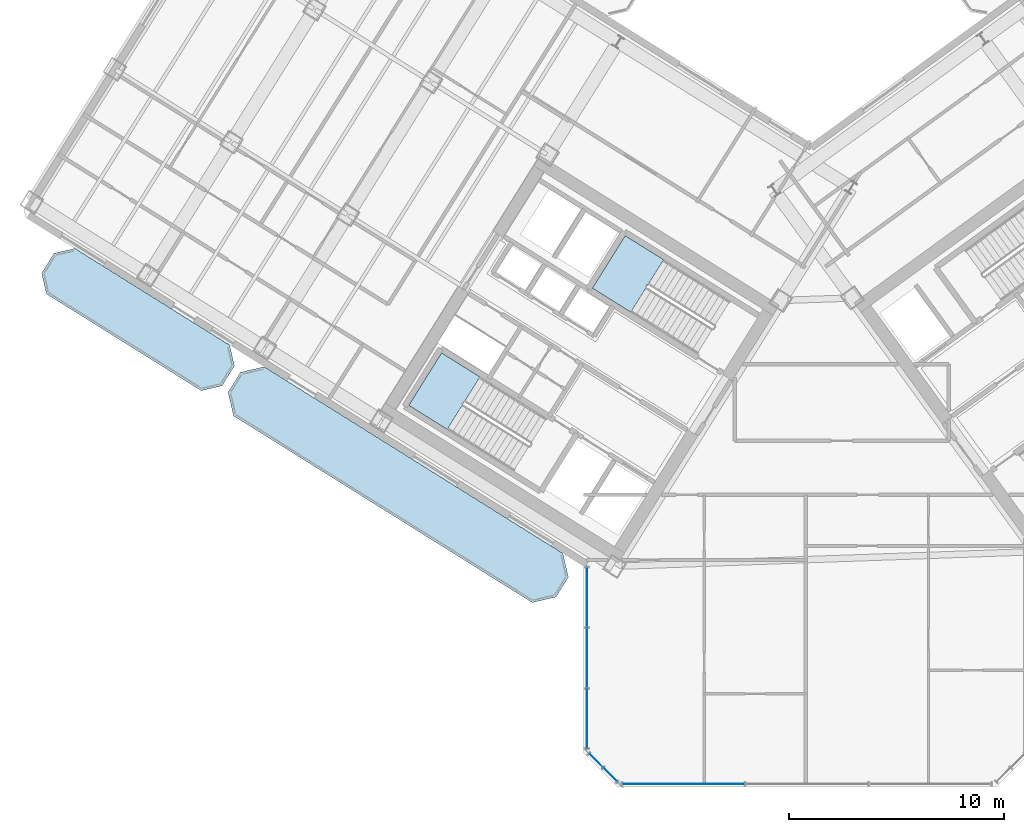
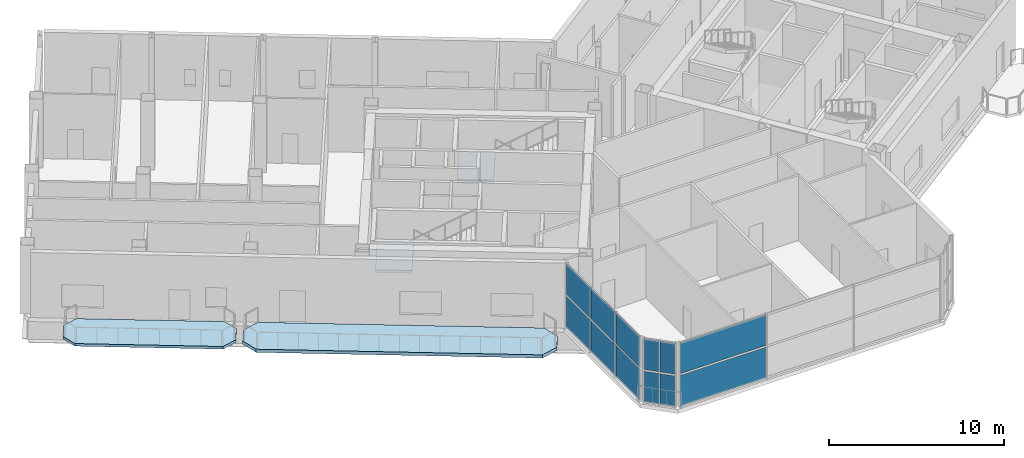
# One storey, part 9 of 21: 12 plates, 4 slabs, 5 elements without a shape of their own.
"""IFC4 building model written with IfcOpenShell, lengths in metres."""

from ifc_helpers import new_model, si_unit, direction, frame, origin, origin_2d, place, context, subcontext, project, spatial, polyline, rectangle, outline, extrude, source, transform, mapped, material, layer, layer_set, type_object, element, aggregate, save


model = new_model("IFC4")

# Units and contexts
model_context = context("Model", 3, precision=1e-05, world=origin(), true_north=direction((0.0, 1.0)))
body_context = subcontext(model_context, "Body", "Model", "MODEL_VIEW")
ifc_project = project(units=[si_unit("LENGTHUNIT", "METRE"), si_unit("AREAUNIT", "SQUARE_METRE"), si_unit("VOLUMEUNIT", "CUBIC_METRE"), si_unit("PLANEANGLEUNIT", "RADIAN"), si_unit("MASSUNIT", "GRAM", prefix="KILO")], contexts=[model_context])

# Site, building, storey
site_placement = place(None, origin())
site = spatial("IfcSite", under=ifc_project, at=site_placement, CompositionType="ELEMENT")
building_placement = place(site_placement, origin())
building = spatial("IfcBuilding", under=site, at=building_placement, Name="Tlacorven Tower", CompositionType="ELEMENT")
storey_placement = place(building_placement, frame((0.0, 0.0, 179.39990234375)))
storey = spatial("IfcBuildingStorey", under=building, at=storey_placement, Name="L45", CompositionType="ELEMENT", Elevation=179.39990234375)

# Slab
ifc_material_1 = material(Name="Precast concrete C45/55", Category="concrete")
ifc_layer_1 = layer(ifc_material_1, 0.179931640625)
ifc_layer_set_1 = layer_set([ifc_layer_1], Name="Precast concrete C45/55")
slab_type_1 = type_object("IfcSlabType", Name="SL-BAL-180", PredefinedType="USERDEFINED", material=ifc_layer_set_1)
slab_1_placement = place(storey_placement, frame((0.0, 0.0, -0.179931640625)))
element("IfcSlab", 1, at=slab_1_placement, inside=storey, type_object=slab_type_1, Name="L45 West Wing Balcony Ribbon OUT", ObjectType="BALCONY SLAB", PredefinedType="USERDEFINED", context=body_context, shape_type="SweptSolid", body=[
    extrude(outline(polyline([(15.1201171875, 22.38623046875), (7.91162109375, 26.890625), (6.947021484375, 26.66796875), (6.366943359375, 25.7392578125), (6.589599609375, 24.774658203125), (13.7978515625, 20.270263671875), (14.762451171875, 20.4931640625), (15.3427734375, 21.421630859375), (15.1201171875, 22.38623046875)])), origin(), (0.0, 0.0, 1.0), 0.179931640625),
])

# Stair, slab
ifc_material_2 = material(Name="Concrete C40/50", Category="concrete")
stair_type = type_object("IfcStairType", Name="ST-CORE-DLG", PredefinedType="HALF_TURN_STAIR", material=ifc_material_2)
stair_1_placement = place(storey_placement, origin())
stair_1 = element("IfcStair", 2, at=stair_1_placement, inside=storey, type_object=stair_type, Name="L45 Protected Exit Stair West 1", PredefinedType="HALF_TURN_STAIR")
ifc_layer_2 = layer(ifc_material_2, 0.199951171875)
ifc_layer_set_2 = layer_set([ifc_layer_2], Name="Concrete C40/50")
slab_type_2 = type_object("IfcSlabType", Name="SL-LND-200", PredefinedType="LANDING", material=ifc_layer_set_2)
slab_2_placement = place(storey_placement, frame((0.0, 0.0, 2.2001953125)))
slab_2 = element("IfcSlab", 3, at=slab_2_placement, type_object=slab_type_2, Name="ST-W1 landing 1", PredefinedType="LANDING", context=body_context, shape_type="SweptSolid", body=[
    extrude(outline(polyline([(26.778564453125, 20.90869140625), (24.9892578125, 22.02685546875), (23.463134765625, 19.58447265625), (25.25244140625, 18.46630859375), (26.778564453125, 20.90869140625)])), origin(), (0.0, 0.0, 1.0), 0.199951171875),
])
aggregate(stair_1, [slab_2])

stair_2_placement = place(storey_placement, origin())
stair_2 = element("IfcStair", 4, at=stair_2_placement, inside=storey, type_object=stair_type, Name="L45 Protected Exit Stair West 2", PredefinedType="HALF_TURN_STAIR")
slab_3_placement = place(storey_placement, frame((0.0, 0.0, 2.2001953125)))
slab_3 = element("IfcSlab", 5, at=slab_3_placement, type_object=slab_type_2, Name="ST-W2 landing 1", PredefinedType="LANDING", context=body_context, shape_type="SweptSolid", body=[
    extrude(outline(polyline([(35.330078125, 26.366455078125), (33.540771484375, 27.484375), (32.0146484375, 25.0419921875), (33.803955078125, 23.924072265625), (35.330078125, 26.366455078125)])), origin(), (0.0, 0.0, 1.0), 0.199951171875),
])
aggregate(stair_2, [slab_3])

# Slab
ifc_layer_3 = layer(ifc_material_2, 0.219970703125)
ifc_layer_set_3 = layer_set([ifc_layer_3], Name="Concrete C40/50")
slab_type_3 = type_object("IfcSlabType", Name="SL-TER-220", PredefinedType="FLOOR", material=ifc_layer_set_3)
slab_4_placement = place(storey_placement, frame((0.0, 0.0, -0.219970703125)))
element("IfcSlab", 6, at=slab_4_placement, inside=storey, type_object=slab_type_3, Name="L45 West Wing Planted Sky-Garden Terrace Slab", PredefinedType="FLOOR", context=body_context, shape_type="SweptSolid", body=[
    extrude(outline(polyline([(30.639404296875, 12.688720703125), (16.7314453125, 21.37939453125), (15.62890625, 21.125), (15.048828125, 20.1962890625), (15.30322265625, 19.093994140625), (29.211181640625, 10.4033203125), (30.3134765625, 10.65771484375), (30.893798828125, 11.58642578125), (30.639404296875, 12.688720703125)])), origin(), (0.0, 0.0, 1.0), 0.219970703125),
])

# Curtain wall, plates
ifc_material_3 = material(Name="Dark solar low-E double glazing in aluminium frame", Category="aluminium")
curtain_wall_type = type_object("IfcCurtainWallType", Name="CW-TWR-MID", PredefinedType="USERDEFINED", material=ifc_material_3)
curtain_wall_1_placement = place(storey_placement, origin())
curtain_wall_1 = element("IfcCurtainWall", 7, at=curtain_wall_1_placement, inside=storey, type_object=curtain_wall_type, Name="L45 CW-TWR-MID Curtain Wall 210", ObjectType="UNITISED CURTAIN WALL", PredefinedType="USERDEFINED")
ifc_material_4 = material(Name="High-wind dark solar tempered low-E glazing", Category="glass")
ifc_layer_4 = layer(ifc_material_4, 0.028076171875)
ifc_layer_set_4 = layer_set([ifc_layer_4], Name="High-wind dark solar tempered low-E glazing")
plate_type = type_object("IfcPlateType", Name="CWP-03", PredefinedType="CURTAIN_PANEL", material=ifc_layer_set_4)
shared_shape_1 = source(origin(), body_context, "Body", "SweptSolid", [
    extrude(rectangle(XDim=0.885498046875, YDim=0.028076171875, at=origin_2d()), origin(), (0.0, 0.0, 1.0), 2.153076171875),
])
plate_1_placement = place(storey_placement, frame((32.8427734375, 2.38330078125, 0.06103515625), z_axis=(0.0, 0.0, 1.0), x_axis=(-0.707106781187, 0.707106781187, 0.0)))
plate_1 = element("IfcPlate", 8, at=plate_1_placement, type_object=plate_type, Name="CW-L45-210 Glazing Panel 1", PredefinedType="CURTAIN_PANEL", context=body_context, shape_type="MappedRepresentation", body=[
    mapped(shared_shape_1, transform((0.0, 0.0, 0.0), scale=1.0)),
])
plate_2_placement = place(storey_placement, frame((32.8427734375, 2.38330078125, 2.3359375), z_axis=(0.0, 0.0, 1.0), x_axis=(-0.707106781187, 0.707106781187, 0.0)))
plate_2 = element("IfcPlate", 9, at=plate_2_placement, type_object=plate_type, Name="CW-L45-210 Glazing Panel 2", PredefinedType="CURTAIN_PANEL", context=body_context, shape_type="MappedRepresentation", body=[
    mapped(shared_shape_1, transform((0.0, 0.0, 0.0), scale=1.0)),
])
plate_3_placement = place(storey_placement, frame((32.183349609375, 3.04296875, 0.06103515625), z_axis=(0.0, 0.0, 1.0), x_axis=(-0.707106781187, 0.707106781187, 0.0)))
plate_3 = element("IfcPlate", 10, at=plate_3_placement, type_object=plate_type, Name="CW-L45-210 Glazing Panel 3", PredefinedType="CURTAIN_PANEL", context=body_context, shape_type="MappedRepresentation", body=[
    mapped(shared_shape_1, transform((0.0, 0.0, 0.0), scale=1.0)),
])
plate_4_placement = place(storey_placement, frame((32.183349609375, 3.04296875, 2.3359375), z_axis=(0.0, 0.0, 1.0), x_axis=(-0.707106781187, 0.707106781187, 0.0)))
plate_4 = element("IfcPlate", 11, at=plate_4_placement, type_object=plate_type, Name="CW-L45-210 Glazing Panel 4", PredefinedType="CURTAIN_PANEL", context=body_context, shape_type="MappedRepresentation", body=[
    mapped(shared_shape_1, transform((0.0, 0.0, 0.0), scale=1.0)),
])
aggregate(curtain_wall_1, [plate_1, plate_2, plate_3, plate_4])

curtain_wall_2_placement = place(storey_placement, origin())
curtain_wall_2 = element("IfcCurtainWall", 12, at=curtain_wall_2_placement, inside=storey, type_object=curtain_wall_type, Name="L45 CW-TWR-MID Curtain Wall 209", ObjectType="UNITISED CURTAIN WALL", PredefinedType="USERDEFINED")
shared_shape_2 = source(origin(), body_context, "Body", "SweptSolid", [
    extrude(rectangle(XDim=5.67626953125, YDim=0.028076171875, at=origin_2d()), origin(), (0.0, 0.0, 1.0), 2.153076171875),
])
plate_5_placement = place(storey_placement, frame((36.260498046875, 1.9599609375, 0.06103515625), z_axis=(0.0, 0.0, 1.0), x_axis=(-1.0, 0.0, 0.0)))
plate_5 = element("IfcPlate", 13, at=plate_5_placement, type_object=plate_type, Name="CW-L45-209 Glazing Panel 5", PredefinedType="CURTAIN_PANEL", context=body_context, shape_type="MappedRepresentation", body=[
    mapped(shared_shape_2, transform((0.0, 0.0, 0.0), scale=1.0)),
])
plate_6_placement = place(storey_placement, frame((36.260498046875, 1.9599609375, 2.3359375), z_axis=(0.0, 0.0, 1.0), x_axis=(-1.0, 0.0, 0.0)))
plate_6 = element("IfcPlate", 14, at=plate_6_placement, type_object=plate_type, Name="CW-L45-209 Glazing Panel 6", PredefinedType="CURTAIN_PANEL", context=body_context, shape_type="MappedRepresentation", body=[
    mapped(shared_shape_2, transform((0.0, 0.0, 0.0), scale=1.0)),
])
aggregate(curtain_wall_2, [plate_5, plate_6])

curtain_wall_3_placement = place(storey_placement, origin())
curtain_wall_3 = element("IfcCurtainWall", 15, at=curtain_wall_3_placement, inside=storey, type_object=curtain_wall_type, Name="L45 CW-TWR-MID Curtain Wall 211", ObjectType="UNITISED CURTAIN WALL", PredefinedType="USERDEFINED")
shared_shape_3 = source(origin(), body_context, "Body", "SweptSolid", [
    extrude(rectangle(XDim=2.759521484375, YDim=0.028076171875, at=origin_2d()), origin(), (0.0, 0.0, 1.0), 2.153076171875),
])
plate_7_placement = place(storey_placement, frame((31.760009765625, 5.001953125, 0.06103515625), z_axis=(0.0, 0.0, 1.0), x_axis=(0.0, 1.0, 0.0)))
plate_7 = element("IfcPlate", 16, at=plate_7_placement, type_object=plate_type, Name="CW-L45-211 Glazing Panel 1", PredefinedType="CURTAIN_PANEL", context=body_context, shape_type="MappedRepresentation", body=[
    mapped(shared_shape_3, transform((0.0, 0.0, 0.0), scale=1.0)),
])
plate_8_placement = place(storey_placement, frame((31.760009765625, 5.001953125, 2.3359375), z_axis=(0.0, 0.0, 1.0), x_axis=(0.0, 1.0, 0.0)))
plate_8 = element("IfcPlate", 17, at=plate_8_placement, type_object=plate_type, Name="CW-L45-211 Glazing Panel 2", PredefinedType="CURTAIN_PANEL", context=body_context, shape_type="MappedRepresentation", body=[
    mapped(shared_shape_3, transform((0.0, 0.0, 0.0), scale=1.0)),
])
plate_9_placement = place(storey_placement, frame((31.760009765625, 10.6474609375, 0.06103515625), z_axis=(0.0, 0.0, 1.0), x_axis=(0.0, 1.0, 0.0)))
plate_9 = element("IfcPlate", 18, at=plate_9_placement, type_object=plate_type, Name="CW-L45-211 Glazing Panel 5", PredefinedType="CURTAIN_PANEL", context=body_context, shape_type="MappedRepresentation", body=[
    mapped(shared_shape_3, transform((0.0, 0.0, 0.0), scale=1.0)),
])
plate_10_placement = place(storey_placement, frame((31.760009765625, 10.6474609375, 2.3359375), z_axis=(0.0, 0.0, 1.0), x_axis=(0.0, 1.0, 0.0)))
plate_10 = element("IfcPlate", 19, at=plate_10_placement, type_object=plate_type, Name="CW-L45-211 Glazing Panel 6", PredefinedType="CURTAIN_PANEL", context=body_context, shape_type="MappedRepresentation", body=[
    mapped(shared_shape_3, transform((0.0, 0.0, 0.0), scale=1.0)),
])
shared_shape_4 = source(origin(), body_context, "Body", "SweptSolid", [
    extrude(rectangle(XDim=2.7919921875, YDim=0.028076171875, at=origin_2d()), origin(), (0.0, 0.0, 1.0), 2.153076171875),
])
plate_11_placement = place(storey_placement, frame((31.760009765625, 7.82470703125, 0.06103515625), z_axis=(0.0, 0.0, 1.0), x_axis=(0.0, 1.0, 0.0)))
plate_11 = element("IfcPlate", 20, at=plate_11_placement, type_object=plate_type, Name="CW-L45-211 Glazing Panel 3", PredefinedType="CURTAIN_PANEL", context=body_context, shape_type="MappedRepresentation", body=[
    mapped(shared_shape_4, transform((0.0, 0.0, 0.0), scale=1.0)),
])
plate_12_placement = place(storey_placement, frame((31.760009765625, 7.82470703125, 2.3359375), z_axis=(0.0, 0.0, 1.0), x_axis=(0.0, 1.0, 0.0)))
plate_12 = element("IfcPlate", 21, at=plate_12_placement, type_object=plate_type, Name="CW-L45-211 Glazing Panel 4", PredefinedType="CURTAIN_PANEL", context=body_context, shape_type="MappedRepresentation", body=[
    mapped(shared_shape_4, transform((0.0, 0.0, 0.0), scale=1.0)),
])
aggregate(curtain_wall_3, [plate_7, plate_8, plate_11, plate_12, plate_9, plate_10])

save(model, "model.ifc")
